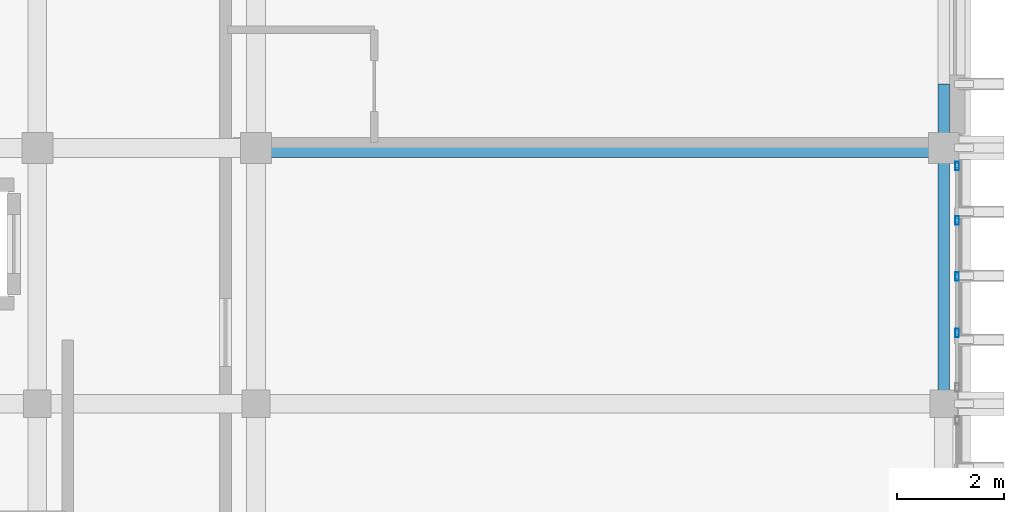
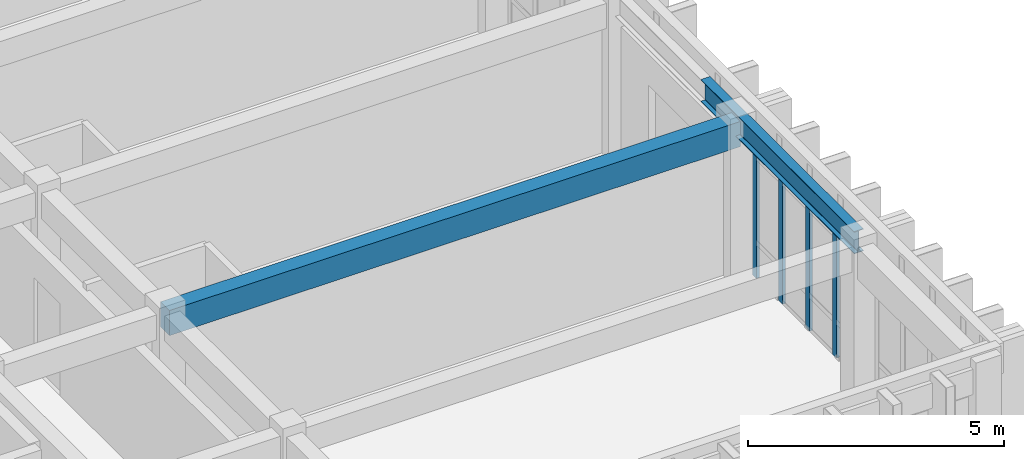
# One storey, part 8 of 49: 4 members, 2 beams, 1 element without a shape of its own.
"""IFC4 building model written with IfcOpenShell, lengths in metres."""

from ifc_helpers import new_model, si_unit, direction, frame, origin, origin_2d, place, context, subcontext, project, spatial, rectangle, hollow_rectangle, i_section, extrude, material, layer, layer_set, material_profile, profile_set, type_object, element, aggregate, save


model = new_model("IFC4")

# Units and contexts
model_context = context("Model", 3, precision=1e-05, world=origin(), true_north=direction((0.0, 1.0)))
body_context = subcontext(model_context, "Body", "Model", "MODEL_VIEW")
ifc_project = project(units=[si_unit("LENGTHUNIT", "METRE"), si_unit("AREAUNIT", "SQUARE_METRE"), si_unit("VOLUMEUNIT", "CUBIC_METRE"), si_unit("PLANEANGLEUNIT", "RADIAN"), si_unit("MASSUNIT", "GRAM", prefix="KILO")], contexts=[model_context])

# Site, building, storey
site_placement = place(None, origin())
site = spatial("IfcSite", under=ifc_project, at=site_placement, CompositionType="ELEMENT")
building_placement = place(site_placement, origin())
building = spatial("IfcBuilding", under=site, at=building_placement, Name="Nakhvara Creek Congress Hotel", CompositionType="ELEMENT")
storey_placement = place(building_placement, frame((0.0, 0.0, 46.5)))
storey = spatial("IfcBuildingStorey", under=building, at=storey_placement, Name="L11", CompositionType="ELEMENT", Elevation=46.5)

# Beams
ifc_material_1 = material(Name="Concrete C40/50", Category="concrete")
ifc_material_profile_1 = material_profile(ifc_material_1, rectangle(XDim=0.35009765625, YDim=0.60009765625, at=origin_2d()), Name="RC-BM 350x600", Category="LoadBearing")
ifc_profile_set_1 = profile_set([ifc_material_profile_1], Name="Concrete C40/50")
beam_type_1 = type_object("IfcBeamType", Name="BM-RC-350X600", PredefinedType="BEAM", material=ifc_profile_set_1)
beam_1_placement = place(storey_placement, frame((166.449951171875, 76.800048828125, 3.3798828125), z_axis=(1.0, 0.0, 0.0), x_axis=(0.0, 1.0, 0.0)))
element("IfcBeam", 1, at=beam_1_placement, inside=storey, type_object=beam_type_1, Name="Beam B07-L11-2747", PredefinedType="BEAM", context=body_context, shape_type="SweptSolid", body=[
    extrude(rectangle(XDim=0.35009765625, YDim=0.60009765625, at=origin_2d()), origin(), (0.0, 0.0, 1.0), 12.900146484375),
])
ifc_material_2 = material(Name="Steel S355J2", Category="steel")
ifc_material_profile_2 = material_profile(ifc_material_2, i_section(OverallWidth=0.209228515625, OverallDepth=0.533203125, WebThickness=0.010009765625, FlangeThickness=0.015625, FilletRadius=0.0126953125, at=origin_2d()), Name="UB 533x210x92", Category="LoadBearing")
ifc_profile_set_2 = profile_set([ifc_material_profile_2], Name="Steel S355J2")
beam_type_2 = type_object("IfcBeamType", Name="BM-ST-UB533", PredefinedType="BEAM", material=ifc_profile_set_2)
beam_2_placement = place(storey_placement, frame((179.35009765625, 72.0, 3.6201171875), z_axis=(0.0, 1.0, 0.0), x_axis=(-1.0, 0.0, 0.0)))
element("IfcBeam", 2, at=beam_2_placement, inside=storey, type_object=beam_type_2, Name="Hotel Gable Eave Beam E-01", PredefinedType="BEAM", context=body_context, shape_type="SweptSolid", body=[
    extrude(i_section(OverallWidth=0.209228515625, OverallDepth=0.533203125, WebThickness=0.010009765625, FlangeThickness=0.015625, FilletRadius=0.0126953125, at=origin_2d()), origin(), (0.0, 0.0, 1.0), 6.0),
])

# Curtain wall, members
ifc_material_3 = material(Name="Bronze-anodised aluminium AW-6063-T6 and double-silver low-E glass", Category="aluminium")
ifc_layer = layer(ifc_material_3, 0.199951171875)
ifc_layer_set = layer_set([ifc_layer], Name="Bronze-anodised aluminium AW-6063-T6 and double-silver low-E glass")
curtain_wall_type = type_object("IfcCurtainWallType", Name="CW-HTL-UNIT", PredefinedType="USERDEFINED", material=ifc_layer_set)
curtain_wall_placement = place(storey_placement, origin())
curtain_wall = element("IfcCurtainWall", 3, at=curtain_wall_placement, inside=storey, type_object=curtain_wall_type, Name="Curtain Wall CW334", ObjectType="UNITISED", PredefinedType="USERDEFINED")
ifc_material_4 = material(Name="Bronze-anodised aluminium AW-6063-T6", Category="aluminium")
ifc_material_profile_3 = material_profile(ifc_material_4, hollow_rectangle(XDim=0.06494140625, YDim=0.159912109375, WallThickness=0.00390625, at=origin_2d()), Name="ALU-MULL 65x160x4", Category="LoadBearing")
ifc_profile_set_3 = profile_set([ifc_material_profile_3], Name="Bronze-anodised aluminium AW-6063-T6")
member_type = type_object("IfcMemberType", Name="CW-MULL-160", PredefinedType="MULLION", material=ifc_profile_set_3)
member_1_placement = place(storey_placement, frame((179.60009765625, 76.46240234375, 0.0), z_axis=(0.0, 0.0, 1.0), x_axis=(1.0, 0.0, 0.0)))
member_1 = element("IfcMember", 4, at=member_1_placement, type_object=member_type, Name="CW334 mullion 1", PredefinedType="MULLION", context=body_context, shape_type="SweptSolid", body=[
    extrude(hollow_rectangle(XDim=0.06494140625, YDim=0.159912109375, WallThickness=0.00390625, at=origin_2d()), origin(), (0.0, 0.0, 1.0), 2.922119140625),
])
member_2_placement = place(storey_placement, frame((179.60009765625, 75.43994140625, 0.0), z_axis=(0.0, 0.0, 1.0), x_axis=(1.0, 0.0, 0.0)))
member_2 = element("IfcMember", 5, at=member_2_placement, type_object=member_type, Name="CW334 mullion 2", PredefinedType="MULLION", context=body_context, shape_type="SweptSolid", body=[
    extrude(hollow_rectangle(XDim=0.06494140625, YDim=0.159912109375, WallThickness=0.00390625, at=origin_2d()), origin(), (0.0, 0.0, 1.0), 2.922119140625),
])
member_3_placement = place(storey_placement, frame((179.60009765625, 74.385009765625, 0.0), z_axis=(0.0, 0.0, 1.0), x_axis=(1.0, 0.0, 0.0)))
member_3 = element("IfcMember", 6, at=member_3_placement, type_object=member_type, Name="CW334 mullion 3", PredefinedType="MULLION", context=body_context, shape_type="SweptSolid", body=[
    extrude(hollow_rectangle(XDim=0.06494140625, YDim=0.159912109375, WallThickness=0.00390625, at=origin_2d()), origin(), (0.0, 0.0, 1.0), 2.922119140625),
])
member_4_placement = place(storey_placement, frame((179.60009765625, 73.330078125, 0.0), z_axis=(0.0, 0.0, 1.0), x_axis=(1.0, 0.0, 0.0)))
member_4 = element("IfcMember", 7, at=member_4_placement, type_object=member_type, Name="CW334 mullion 4", PredefinedType="MULLION", context=body_context, shape_type="SweptSolid", body=[
    extrude(hollow_rectangle(XDim=0.06494140625, YDim=0.159912109375, WallThickness=0.00390625, at=origin_2d()), origin(), (0.0, 0.0, 1.0), 2.922119140625),
])
aggregate(curtain_wall, [member_1, member_2, member_3, member_4])

save(model, "model.ifc")
